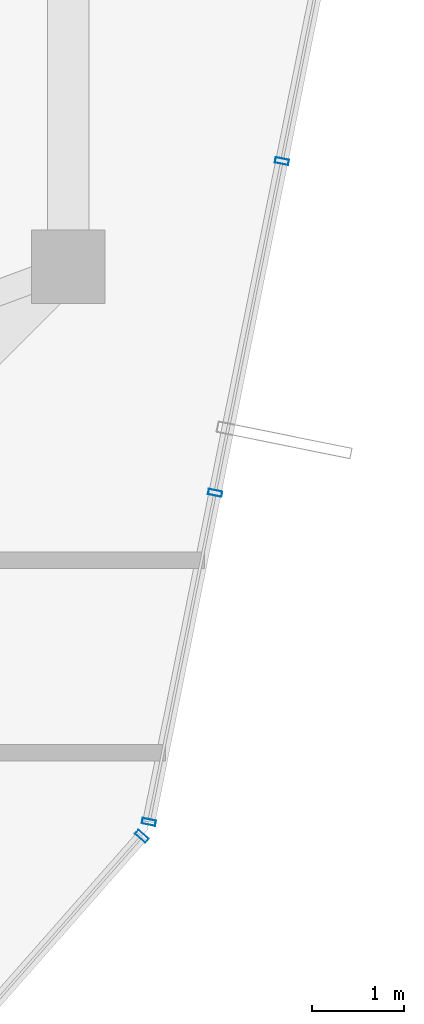
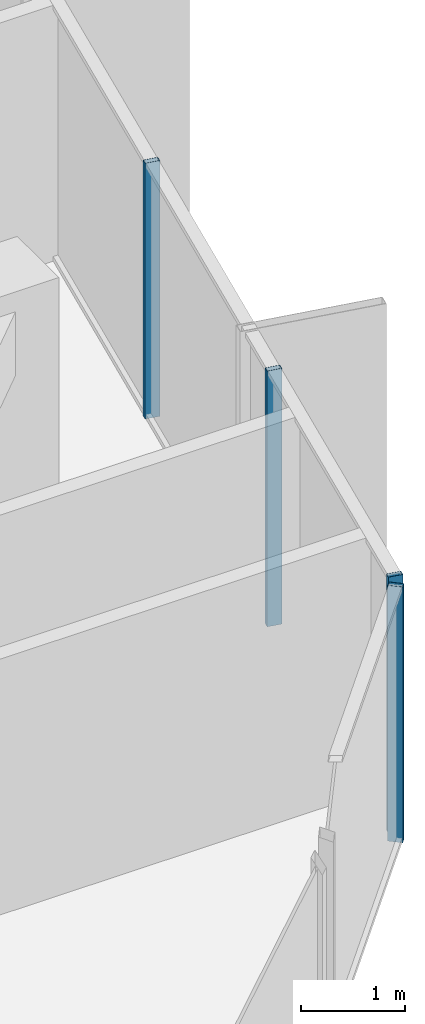
# One storey, part 17 of 28: 4 members, 2 elements without a shape of their own.
"""IFC4 building model written with IfcOpenShell, lengths in metres."""

import ifcopenshell
import ifcopenshell.guid

model = None  # the IFC model being written
_history = None  # IfcOwnerHistory: only IFC2X3 demands one
_inside = {}  # id of a spatial element -> (the spatial element, [elements in it])
_under = {}  # id of a project, library or spatial element -> (it, [spatial elements below it])
_declared = {}  # id of a project -> (the project, [libraries it declares])
_typed = {}  # id of a type object -> (the type object, [elements of that type])
_made_of = {}  # id of a material, layer set ... -> (it, [elements and type objects made of it])


def new_model(schema):
    """Start an empty IFC model of exactly this schema.

    Asked for "IFC4X3", IfcOpenShell would pick the latest addendum, in which some entities
    have other attributes; the version numbers below select the first issue.
    IFC2X3 requires an IfcOwnerHistory on every rooted entity: one is made here for all.
    """
    global model, _history
    if schema == "IFC4X3":
        model = ifcopenshell.file(schema_version=(4, 3, 0, 0))
    else:
        model = ifcopenshell.file(schema=schema)
    _inside.clear()
    _under.clear()
    _declared.clear()
    _typed.clear()
    _made_of.clear()
    _history = None
    if model.schema == "IFC2X3":
        org = make("IfcOrganization", Name="unknown")
        user = make(
            "IfcPersonAndOrganization",
            ThePerson=make("IfcPerson", FamilyName="unknown"),
            TheOrganization=org,
        )
        app = make(
            "IfcApplication",
            ApplicationDeveloper=org,
            Version="unknown",
            ApplicationFullName="unknown",
            ApplicationIdentifier="unknown",
        )
        _history = make(
            "IfcOwnerHistory",
            OwningUser=user,
            OwningApplication=app,
            ChangeAction="ADDED",
            CreationDate=0,
        )
    return model


def make(cls, **values):
    """One entity of the class cls with the attributes given. An attribute that is None is left unset."""
    return model.create_entity(
        cls, **{name: value for name, value in values.items() if value is not None}
    )


def rooted(cls, **values):
    """An entity with a GlobalId (a new one), such as an element, a storey or a relation."""
    return make(cls, GlobalId=ifcopenshell.guid.new(), OwnerHistory=_history, **values)


def si_unit(unit_type, name, prefix=None):
    """IfcSIUnit, for example si_unit("LENGTHUNIT", "METRE", prefix="MILLI")."""
    return make("IfcSIUnit", UnitType=unit_type, Prefix=prefix, Name=name)


def assignment(units):
    """IfcUnitAssignment: the units of a project."""
    return None if units is None else make("IfcUnitAssignment", Units=units)


def point(xyz):
    """IfcCartesianPoint."""
    return None if xyz is None else make("IfcCartesianPoint", Coordinates=xyz)


def direction(xyz):
    """IfcDirection."""
    return None if xyz is None else make("IfcDirection", DirectionRatios=xyz)


def frame(location, z_axis=None, x_axis=None):
    """IfcAxis2Placement3D, a coordinate frame: its origin and axes. An axis left out is left unset."""
    return make(
        "IfcAxis2Placement3D",
        Location=point(location),
        Axis=direction(z_axis),
        RefDirection=direction(x_axis),
    )


def frame_2d(location, x_axis=None):
    """IfcAxis2Placement2D, a coordinate frame in the plane: its origin and x axis."""
    return make(
        "IfcAxis2Placement2D", Location=point(location), RefDirection=direction(x_axis)
    )


def origin():
    """The frame at (0, 0, 0) with its axes left unset."""
    return frame((0.0, 0.0, 0.0))


def origin_2d():
    """The frame at (0, 0) in the plane with its x axis left unset."""
    return frame_2d((0.0, 0.0))


def place(relative_to, where):
    """IfcLocalPlacement: puts the frame where relative to a parent placement (None: the world)."""
    return make(
        "IfcLocalPlacement", PlacementRelTo=relative_to, RelativePlacement=where
    )


def context(
    kind, dimensions, precision=None, world=None, true_north=None, identifier=None
):
    """IfcGeometricRepresentationContext, for example the 3D "Model" context."""
    return make(
        "IfcGeometricRepresentationContext",
        ContextIdentifier=identifier,
        ContextType=kind,
        CoordinateSpaceDimension=dimensions,
        Precision=precision,
        WorldCoordinateSystem=world,
        TrueNorth=true_north,
    )


def subcontext(parent, identifier, kind, view, scale=None):
    """IfcGeometricRepresentationSubContext, for example "Body" below "Model"."""
    return make(
        "IfcGeometricRepresentationSubContext",
        ContextIdentifier=identifier,
        ContextType=kind,
        ParentContext=parent,
        TargetScale=scale,
        TargetView=view,
    )


def project(units=None, contexts=None):
    """IfcProject with its units and contexts."""
    return rooted(
        "IfcProject",
        Name="project",
        RepresentationContexts=contexts,
        UnitsInContext=assignment(units),
    )


def spatial(cls, under=None, at=None, **own):
    """A site, building, storey or space (cls), placed at a placement, below another one or the project."""
    s = rooted(cls, ObjectPlacement=at, **own)
    if under is not None:
        _under.setdefault(under.id(), (under, []))[1].append(s)
    return s


def profile(cls, at=None, kind="AREA", **sizes):
    """A parametric profile (cls). Its sizes go by their IFC names, for example OverallWidth=200.0."""
    return make(cls, ProfileType=kind, Position=at, **sizes)


def hollow_rectangle(**sizes):
    """IfcRectangleHollowProfileDef."""
    return profile("IfcRectangleHollowProfileDef", **sizes)


def extrude(swept, where, along, depth):
    """IfcExtrudedAreaSolid: the profile swept, set in the frame where, extruded along a direction by depth."""
    return make(
        "IfcExtrudedAreaSolid",
        SweptArea=swept,
        Position=where,
        ExtrudedDirection=direction(along),
        Depth=depth,
    )


def shape(context_of_items, identifier, shape_type, items):
    """IfcShapeRepresentation: the items that make up one representation, for example the "Body"."""
    return make(
        "IfcShapeRepresentation",
        ContextOfItems=context_of_items,
        RepresentationIdentifier=identifier,
        RepresentationType=shape_type,
        Items=items,
    )


def source(mapping_origin, context_of_items, identifier, shape_type, items):
    """IfcRepresentationMap: a shape defined once, which mapped items show again and again."""
    return make(
        "IfcRepresentationMap",
        MappingOrigin=mapping_origin,
        MappedRepresentation=shape(context_of_items, identifier, shape_type, items),
    )


def transform(
    local_origin,
    x_axis=None,
    y_axis=None,
    z_axis=None,
    scale=None,
    scale2=None,
    scale3=None,
    uniform=True,
):
    """IfcCartesianTransformationOperator3D, or its non-uniform kind. x_axis, y_axis, z_axis: its Axis1, 2, 3."""
    if uniform:
        return make(
            "IfcCartesianTransformationOperator3D",
            Axis1=direction(x_axis),
            Axis2=direction(y_axis),
            LocalOrigin=point(local_origin),
            Scale=scale,
            Axis3=direction(z_axis),
        )
    return make(
        "IfcCartesianTransformationOperator3DnonUniform",
        Axis1=direction(x_axis),
        Axis2=direction(y_axis),
        LocalOrigin=point(local_origin),
        Scale=scale,
        Axis3=direction(z_axis),
        Scale2=scale2,
        Scale3=scale3,
    )


def mapped(mapping_source, mapping_target):
    """IfcMappedItem: shows the shape of a source again, moved by a transform."""
    return make(
        "IfcMappedItem", MappingSource=mapping_source, MappingTarget=mapping_target
    )


def material(Name=None, Category=None):
    """IfcMaterial."""
    return make("IfcMaterial", Name=Name, Category=Category)


def layer(
    of_material, thickness, ventilated=None, Name=None, Category=None, Priority=None
):
    """IfcMaterialLayer: one layer of a wall or slab, of a material (None: an air gap)."""
    return make(
        "IfcMaterialLayer",
        Material=of_material,
        LayerThickness=thickness,
        IsVentilated=ventilated,
        Name=Name,
        Category=Category,
        Priority=Priority,
    )


def layer_set(layers, Name=None):
    """IfcMaterialLayerSet."""
    return make("IfcMaterialLayerSet", MaterialLayers=layers, LayerSetName=Name)


def material_profile(
    of_material, cross_section, Name=None, Category=None, Priority=None
):
    """IfcMaterialProfile: a cross section and its material."""
    return make(
        "IfcMaterialProfile",
        Name=Name,
        Material=of_material,
        Profile=cross_section,
        Priority=Priority,
        Category=Category,
    )


def profile_set(profiles, Name=None, composite=None):
    """IfcMaterialProfileSet."""
    return make(
        "IfcMaterialProfileSet",
        Name=Name,
        MaterialProfiles=profiles,
        CompositeProfile=composite,
    )


def made_of(thing, what):
    """Note that an element or type object is made of a material, layer set ...; save() writes the relation."""
    if what is not None:
        _made_of.setdefault(what.id(), (what, []))[1].append(thing)
    return thing


def type_object(cls, material=None, **own):
    """A type object (cls), such as IfcWallType, which elements share."""
    return made_of(rooted(cls, **own), material)


def element(
    cls,
    number,
    at=None,
    inside=None,
    cuts=None,
    type_object=None,
    material=None,
    context=None,
    identifier="Body",
    shape_type=None,
    held_by="IfcProductDefinitionShape",
    body=None,
    shapes=None,
    **own,
):
    """One element of the class cls, such as IfcWall. Its Tag is "e" and its number.

    at: its placement. inside: the storey or other place that contains it. cuts: it is an
    opening in that element (IfcRelVoidsElement). A single representation is given by context,
    identifier, shape_type and body (its items); several are given by shapes. held_by: the class
    of the entity that holds the representations. save() writes the other relations.
    """
    e = rooted(cls, Tag="e%d" % number, ObjectPlacement=at, **own)
    if body is not None:
        shapes = [shape(context, identifier, shape_type, body)]
    if shapes is not None:
        e.Representation = make(held_by, Representations=shapes)
    if inside is not None:
        _inside.setdefault(inside.id(), (inside, []))[1].append(e)
    if cuts is not None:
        rooted(
            "IfcRelVoidsElement", RelatingBuildingElement=cuts, RelatedOpeningElement=e
        )
    if type_object is not None:
        _typed.setdefault(type_object.id(), (type_object, []))[1].append(e)
    return made_of(e, material)


def aggregate(whole, parts):
    """IfcRelAggregates: a whole, such as a stair, and the parts it consists of."""
    return rooted("IfcRelAggregates", RelatingObject=whole, RelatedObjects=parts)


def save(model, path):
    """Write the relations noted so far, then the file.

    IfcRelAggregates (storeys below a building ...), IfcRelContainedInSpatialStructure (elements
    in a storey), IfcRelDefinesByType, IfcRelAssociatesMaterial and IfcRelDeclares: one each for
    every whole, place, type object, material and project.
    """
    for whole, parts in _under.values():
        aggregate(whole, parts)
    for where, things in _inside.values():
        rooted(
            "IfcRelContainedInSpatialStructure",
            RelatedElements=things,
            RelatingStructure=where,
        )
    for kind, things in _typed.values():
        rooted("IfcRelDefinesByType", RelatedObjects=things, RelatingType=kind)
    for what, things in _made_of.values():
        rooted("IfcRelAssociatesMaterial", RelatedObjects=things, RelatingMaterial=what)
    for by, libraries in _declared.values():
        rooted("IfcRelDeclares", RelatingContext=by, RelatedDefinitions=libraries)
    model.write(path)


model = new_model("IFC4")

# Units and contexts
model_context = context("Model", 3, precision=1e-05, world=origin(), true_north=direction((0.0, 1.0)))
body_context = subcontext(model_context, "Body", "Model", "MODEL_VIEW")
ifc_project = project(units=[si_unit("LENGTHUNIT", "METRE"), si_unit("AREAUNIT", "SQUARE_METRE"), si_unit("VOLUMEUNIT", "CUBIC_METRE"), si_unit("PLANEANGLEUNIT", "RADIAN"), si_unit("MASSUNIT", "GRAM", prefix="KILO")], contexts=[model_context])

# Site, building, storey
site_placement = place(None, origin())
site = spatial("IfcSite", under=ifc_project, at=site_placement, CompositionType="ELEMENT")
building_placement = place(site_placement, origin())
building = spatial("IfcBuilding", under=site, at=building_placement, Name="Veraguas Prism Commons", CompositionType="ELEMENT")
storey_placement = place(building_placement, frame((0.0, 0.0, 248.0)))
storey = spatial("IfcBuildingStorey", under=building, at=storey_placement, Name="L70", CompositionType="ELEMENT", Elevation=248.0)

# Curtain wall, members
ifc_material = material(Name="Anodised aluminium EN AW-6063 T6", Category="aluminium")
ifc_layer = layer(ifc_material, 0.14990234375, Name="Unitised Flush Curtain Wall Zone 4", Category="aluminium")
ifc_layer_set = layer_set([ifc_layer], Name="Anodised aluminium EN AW-6063 T6")
curtain_wall_type = type_object("IfcCurtainWallType", Name="Unitised Flush Curtain Wall Zone 4", PredefinedType="NOTDEFINED", material=ifc_layer_set)
curtain_wall_1_placement = place(storey_placement, origin())
curtain_wall_1 = element("IfcCurtainWall", 1, at=curtain_wall_1_placement, inside=storey, type_object=curtain_wall_type, Name="Tower Facade Curtain Wall L70-F6", PredefinedType="NOTDEFINED")
ifc_material_profile = material_profile(ifc_material, hollow_rectangle(XDim=0.06005859375, YDim=0.14990234375, WallThickness=0.0029296875, at=origin_2d()), Name="AL60X150X3")
ifc_profile_set = profile_set([ifc_material_profile], Name="Anodised aluminium EN AW-6063 T6")
member_type = type_object("IfcMemberType", Name="Curtain Wall Mullion Upper AL 60x150x3", PredefinedType="MULLION", material=ifc_profile_set)
shared_shape = source(origin(), body_context, "Body", "SweptSolid", [
    extrude(hollow_rectangle(XDim=0.06005859375, YDim=0.14990234375, WallThickness=0.0029296875, at=origin_2d()), origin(), (0.0, 0.0, 1.0), 3.014892578125),
])
member_1_placement = place(storey_placement, frame((38.679931640625, 13.544677734375, 0.0), z_axis=(0.0, 0.0, 1.0), x_axis=(0.197318571184, 0.980339421561, 0.0)))
member_1 = element("IfcMember", 2, at=member_1_placement, type_object=member_type, Name="CW-Z4 Mullion 1", PredefinedType="MULLION", context=body_context, shape_type="MappedRepresentation", body=[
    mapped(shared_shape, transform((0.0, 0.0, 0.0), scale=1.0)),
])
member_2_placement = place(storey_placement, frame((39.402587890625, 17.13427734375, 0.0), z_axis=(0.0, 0.0, 1.0), x_axis=(0.197318571184, 0.980339421561, 0.0)))
member_2 = element("IfcMember", 3, at=member_2_placement, type_object=member_type, Name="CW-Z4 Mullion 2", PredefinedType="MULLION", context=body_context, shape_type="MappedRepresentation", body=[
    mapped(shared_shape, transform((0.0, 0.0, 0.0), scale=1.0)),
])
member_3_placement = place(storey_placement, frame((40.130859375, 20.753173828125, 0.0), z_axis=(0.0, 0.0, 1.0), x_axis=(0.197318571184, 0.980339421561, 0.0)))
member_3 = element("IfcMember", 4, at=member_3_placement, type_object=member_type, Name="CW-Z4 Mullion 3", PredefinedType="MULLION", context=body_context, shape_type="MappedRepresentation", body=[
    mapped(shared_shape, transform((0.0, 0.0, 0.0), scale=1.0)),
])
aggregate(curtain_wall_1, [member_1, member_2, member_3])

# Curtain wall, member
curtain_wall_2_placement = place(storey_placement, origin())
curtain_wall_2 = element("IfcCurtainWall", 5, at=curtain_wall_2_placement, inside=storey, type_object=curtain_wall_type, Name="Chamfer Curtain Wall L70-C6", PredefinedType="NOTDEFINED")
member_4_placement = place(storey_placement, frame((38.602783203125, 13.388916015625, 0.0), z_axis=(0.0, 0.0, 1.0), x_axis=(0.661032961994, 0.75035686387, 0.0)))
member_4 = element("IfcMember", 6, at=member_4_placement, type_object=member_type, Name="CW-Z4 Mullion 2", PredefinedType="MULLION", context=body_context, shape_type="MappedRepresentation", body=[
    mapped(shared_shape, transform((0.0, 0.0, 0.0), scale=1.0)),
])
aggregate(curtain_wall_2, [member_4])

save(model, "model.ifc")
